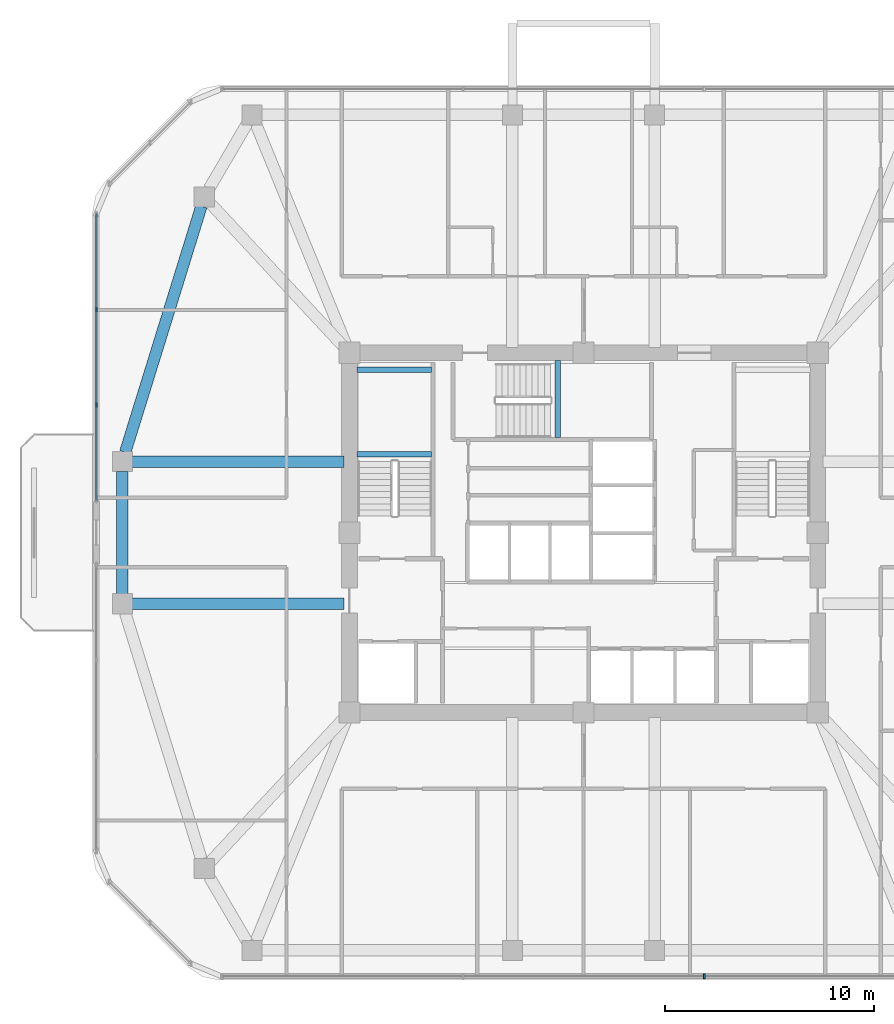
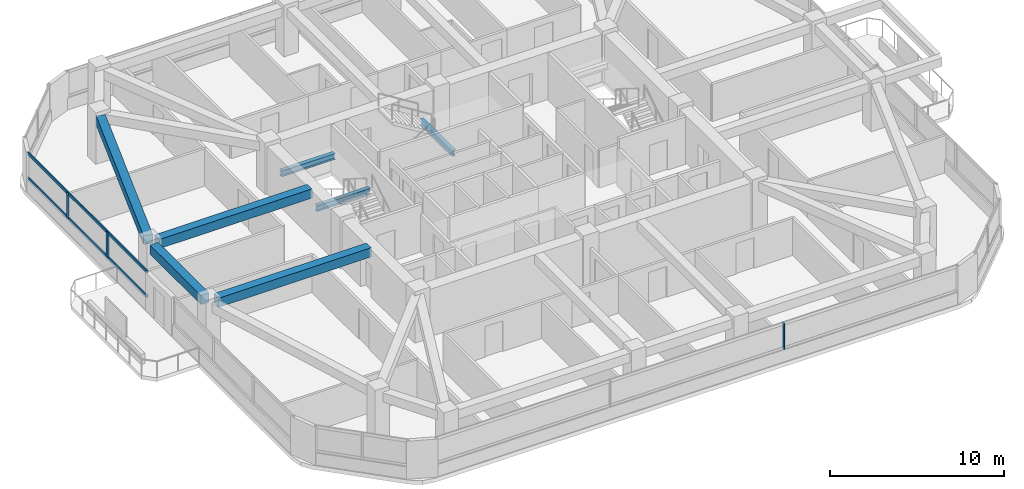
# One storey, part 3 of 13: 7 beams, 5 members, 2 elements without a shape of their own.
"""IFC4 building model written with IfcOpenShell, lengths in metres."""

from ifc_helpers import new_model, si_unit, derived_unit, direction, frame, origin, origin_2d, place, context, subcontext, project, spatial, rectangle, i_section, extrude, material, material_profile, profile_set, type_object, element, aggregate, save


model = new_model("IFC4")

# Units and contexts
model_context = context("Model", 3, precision=1e-05, world=origin(), true_north=direction((0.0, 1.0)))
body_context = subcontext(model_context, "Body", "Model", "MODEL_VIEW")
ifc_project = project(units=[si_unit("LENGTHUNIT", "METRE"), si_unit("AREAUNIT", "SQUARE_METRE"), si_unit("VOLUMEUNIT", "CUBIC_METRE"), si_unit("PLANEANGLEUNIT", "RADIAN"), si_unit("MASSUNIT", "GRAM", prefix="KILO"), derived_unit("THERMALTRANSMITTANCEUNIT", [(si_unit("POWERUNIT", "WATT"), 1), (si_unit("LENGTHUNIT", "METRE"), -2), (si_unit("THERMODYNAMICTEMPERATUREUNIT", "KELVIN"), -1)])], contexts=[model_context])

# Site, building, storey
site_placement = place(None, origin())
site = spatial("IfcSite", under=ifc_project, at=site_placement, CompositionType="ELEMENT")
building_placement = place(site_placement, origin())
building = spatial("IfcBuilding", under=site, at=building_placement, Name="Koralith Skygarden Medical Center", CompositionType="ELEMENT")
storey_placement = place(building_placement, frame((0.0, 0.0, 142.02001953125)))
storey = spatial("IfcBuildingStorey", under=building, at=storey_placement, Name="L36", CompositionType="ELEMENT", Elevation=142.02001953125)

# Curtain wall, member
ifc_material_1 = material(Name="Clear Laminated Glass", Category="glass")
curtain_wall_type = type_object("IfcCurtainWallType", Name="CW-4 Zone 3 Waist High-Wind Curtain Wall", PredefinedType="NOTDEFINED", material=ifc_material_1)
curtain_wall_1_placement = place(storey_placement, origin())
curtain_wall_1 = element("IfcCurtainWall", 1, at=curtain_wall_1_placement, inside=storey, type_object=curtain_wall_type, Name="Curtain Wall CW-L36-S", PredefinedType="NOTDEFINED")
ifc_material_2 = material(Name="Aluminium 6063-T6", Category="aluminium")
ifc_material_profile_1 = material_profile(ifc_material_2, rectangle(XDim=0.076904296875, YDim=0.22998046875, at=origin_2d()), Name="MUL77X230")
ifc_profile_set_1 = profile_set([ifc_material_profile_1], Name="Aluminium 6063-T6")
member_type_1 = type_object("IfcMemberType", Name="CW-4 Extruded Mullion 77x230", PredefinedType="MULLION", material=ifc_profile_set_1)
member_1_placement = place(storey_placement, frame((42.77587890625, 4.679931640625, 0.85009765625), z_axis=(0.0, 0.0, 1.0), x_axis=(1.0, 0.0, 0.0)))
member_1 = element("IfcMember", 2, at=member_1_placement, type_object=member_type_1, Name="CW-L36-S Mullion 3", PredefinedType="MULLION", context=body_context, shape_type="SweptSolid", body=[
    extrude(rectangle(XDim=0.076904296875, YDim=0.22998046875, at=origin_2d()), origin(), (0.0, 0.0, 1.0), 1.81982421875),
])
aggregate(curtain_wall_1, [member_1])

# Curtain wall, members
curtain_wall_2_placement = place(storey_placement, origin())
curtain_wall_2 = element("IfcCurtainWall", 3, at=curtain_wall_2_placement, inside=storey, type_object=curtain_wall_type, Name="Curtain Wall CW-L36-W-L", PredefinedType="NOTDEFINED")
member_2_placement = place(storey_placement, frame((13.696044921875, 36.576904296875, 0.85009765625), z_axis=(0.0, 0.0, 1.0), x_axis=(1.0, 0.0, 0.0)))
member_2 = element("IfcMember", 4, at=member_2_placement, type_object=member_type_1, Name="CW-L36-W-L Mullion 2", PredefinedType="MULLION", context=body_context, shape_type="SweptSolid", body=[
    extrude(rectangle(XDim=0.076904296875, YDim=0.22998046875, at=origin_2d()), origin(), (0.0, 0.0, 1.0), 1.81982421875),
])
member_3_placement = place(storey_placement, frame((13.696044921875, 32.008056640625, 0.85009765625), z_axis=(0.0, 0.0, 1.0), x_axis=(1.0, 0.0, 0.0)))
member_3 = element("IfcMember", 5, at=member_3_placement, type_object=member_type_1, Name="CW-L36-W-L Mullion 3", PredefinedType="MULLION", context=body_context, shape_type="SweptSolid", body=[
    extrude(rectangle(XDim=0.076904296875, YDim=0.22998046875, at=origin_2d()), origin(), (0.0, 0.0, 1.0), 1.81982421875),
])
ifc_material_profile_2 = material_profile(ifc_material_2, rectangle(XDim=0.072021484375, YDim=0.20703125, at=origin_2d()), Name="TRN72X207")
ifc_profile_set_2 = profile_set([ifc_material_profile_2], Name="Aluminium 6063-T6")
member_type_2 = type_object("IfcMemberType", Name="CW-4 Thermal Transom 72x207", PredefinedType="USERDEFINED", material=ifc_profile_set_2)
member_4_placement = place(storey_placement, frame((13.696044921875, 41.14501953125, 0.89990234375), z_axis=(0.0, -1.0, 0.0), x_axis=(1.0, 0.0, 0.0)))
member_4 = element("IfcMember", 6, at=member_4_placement, type_object=member_type_2, Name="CW-L36-W-L Transom 1", ObjectType="TRANSOM", PredefinedType="USERDEFINED", context=body_context, shape_type="SweptSolid", body=[
    extrude(rectangle(XDim=0.072021484375, YDim=0.20703125, at=origin_2d()), origin(), (0.0, 0.0, 1.0), 13.705078125),
])
member_5_placement = place(storey_placement, frame((13.696044921875, 41.14501953125, 2.619873046875), z_axis=(0.0, -1.0, 0.0), x_axis=(1.0, 0.0, 0.0)))
member_5 = element("IfcMember", 7, at=member_5_placement, type_object=member_type_2, Name="CW-L36-W-L Transom 2", ObjectType="TRANSOM", PredefinedType="USERDEFINED", context=body_context, shape_type="SweptSolid", body=[
    extrude(rectangle(XDim=0.072021484375, YDim=0.20703125, at=origin_2d()), origin(), (0.0, 0.0, 1.0), 13.705078125),
])
aggregate(curtain_wall_2, [member_2, member_3, member_4, member_5])

# Beams
ifc_material_3 = material(Name="Steel ASTM A992 Grade 50", Category="steel")
ifc_material_profile_3 = material_profile(ifc_material_3, i_section(OverallWidth=0.260009765625, OverallDepth=0.4150390625, WebThickness=0.010009765625, FlangeThickness=0.016845703125, at=origin_2d()), Name="W16X67")
ifc_profile_set_3 = profile_set([ifc_material_profile_3], Name="Steel ASTM A992 Grade 50")
beam_type_1 = type_object("IfcBeamType", Name="Clinical Floor Joist W16X67", PredefinedType="JOIST", material=ifc_profile_set_3)
for number, where, z_axis, x_axis, name in (
    (8, (26.155029296875, 29.659912109375, 1.39208984375), (1.0, 0.0, 0.0), (0.0, 1.0, 0.0), "L36 Stair ST1 Half-Landing Support Beam 1A"),
    (9, (26.155029296875, 33.699951171875, 1.39208984375), (1.0, 0.0, 0.0), (0.0, 1.0, 0.0), "L36 Stair ST1 Half-Landing Support Beam 1B"),
):
    element("IfcBeam", number, at=place(storey_placement, frame(where, z_axis=z_axis, x_axis=x_axis)), inside=storey, type_object=beam_type_1, Name=name, PredefinedType="JOIST", context=body_context, shape_type="SweptSolid", body=[
        extrude(i_section(OverallWidth=0.260009765625, OverallDepth=0.4150390625, WebThickness=0.010009765625, FlangeThickness=0.016845703125, at=origin_2d()), origin(), (0.0, 0.0, 1.0), 3.56494140625),
    ])
beam_1_placement = place(storey_placement, frame((35.760009765625, 30.43994140625, 1.39208984375), z_axis=(0.0, 1.0, 0.0), x_axis=(-1.0, 0.0, 0.0)))
element("IfcBeam", 10, at=beam_1_placement, inside=storey, type_object=beam_type_1, Name="L36 Stair ST3 Half-Landing Support Beam 1A", PredefinedType="JOIST", context=body_context, shape_type="SweptSolid", body=[
    extrude(i_section(OverallWidth=0.260009765625, OverallDepth=0.4150390625, WebThickness=0.010009765625, FlangeThickness=0.016845703125, at=origin_2d()), origin(), (0.0, 0.0, 1.0), 3.705078125),
])
ifc_material_4 = material(Name="Concrete C45/55", Category="concrete")
ifc_material_profile_4 = material_profile(ifc_material_4, rectangle(XDim=0.550048828125, YDim=0.639892578125, at=origin_2d()), Name="RCB550X640")
ifc_profile_set_4 = profile_set([ifc_material_profile_4], Name="Concrete C45/55")
beam_type_2 = type_object("IfcBeamType", Name="Radial Collector Beam RCB550X640", PredefinedType="BEAM", material=ifc_profile_set_4)
for number, where, z_axis, x_axis, name in (
    (11, (25.550048828125, 22.5, 3.0), (-1.0, 0.0, 0.0), (0.0, -1.0, 0.0), "L36 Radial Collector Beam RB-01"),
    (12, (25.550048828125, 29.300048828125, 3.0), (-1.0, 0.0, 0.0), (0.0, -1.0, 0.0), "L36 Radial Collector Beam RB-16"),
):
    element("IfcBeam", number, at=place(storey_placement, frame(where, z_axis=z_axis, x_axis=x_axis)), inside=storey, type_object=beam_type_2, Name=name, PredefinedType="BEAM", context=body_context, shape_type="SweptSolid", body=[
        extrude(rectangle(XDim=0.550048828125, YDim=0.639892578125, at=origin_2d()), origin(), (0.0, 0.0, 1.0), 10.14404296875),
    ])
ifc_material_profile_5 = material_profile(ifc_material_4, rectangle(XDim=0.550048828125, YDim=0.639892578125, at=origin_2d()), Name="RCB550X640")
ifc_profile_set_5 = profile_set([ifc_material_profile_5], Name="Concrete C45/55")
beam_type_3 = type_object("IfcBeamType", Name="Zone 2-3 Spandrel Beam RCB550X640", PredefinedType="SPANDREL", material=ifc_profile_set_5)
beam_2_placement = place(storey_placement, frame((18.717041015625, 41.510986328125, 3.0), z_axis=(-0.295793585147, -0.955251880389, 0.0), x_axis=(0.955251880389, -0.295793585147, 0.0)))
element("IfcBeam", 13, at=beam_2_placement, inside=storey, type_object=beam_type_3, Name="L36 Perimeter Spandrel Beam SP-15", PredefinedType="SPANDREL", context=body_context, shape_type="SweptSolid", body=[
    extrude(rectangle(XDim=0.550048828125, YDim=0.639892578125, at=origin_2d()), origin(), (0.0, 0.0, 1.0), 12.31298828125),
])
beam_3_placement = place(storey_placement, frame((14.93603515625, 28.830078125, 3.0), z_axis=(0.0, -1.0, 0.0), x_axis=(1.0, 0.0, 0.0)))
element("IfcBeam", 14, at=beam_3_placement, inside=storey, type_object=beam_type_3, Name="L36 Perimeter Spandrel Beam SP-16", PredefinedType="SPANDREL", context=body_context, shape_type="SweptSolid", body=[
    extrude(rectangle(XDim=0.550048828125, YDim=0.639892578125, at=origin_2d()), origin(), (0.0, 0.0, 1.0), 5.860107421875),
])

save(model, "model.ifc")
